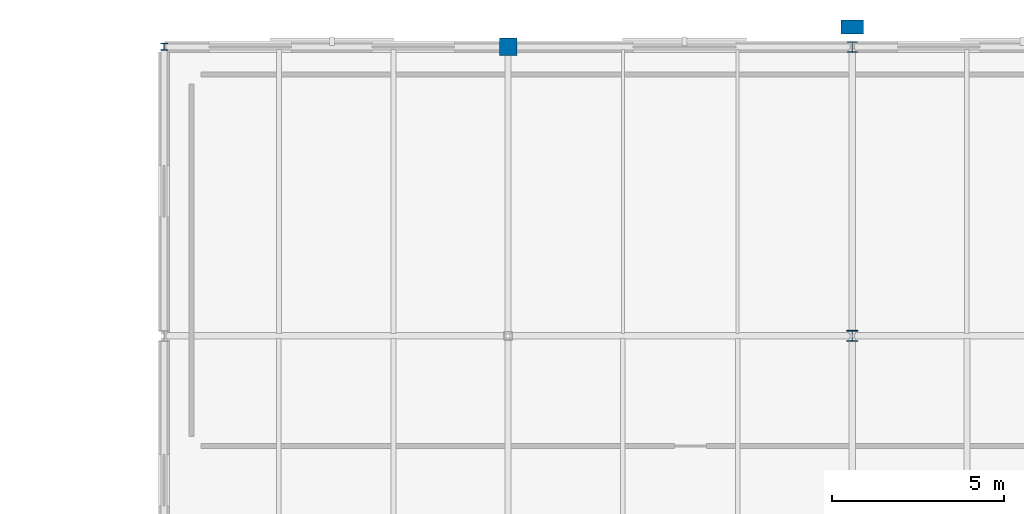
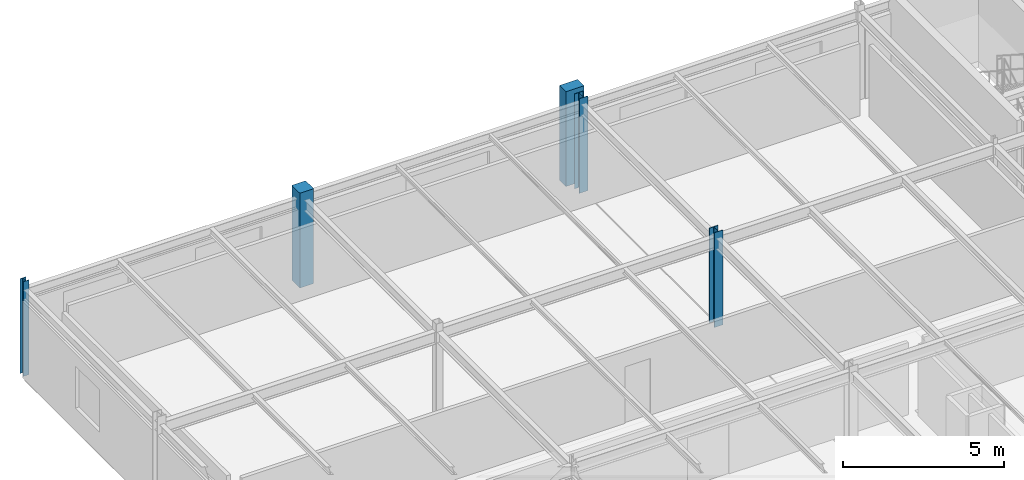
# One storey, part 17 of 109: 5 columns.
"""IFC4 building model written with IfcOpenShell, lengths in metres."""

from ifc_helpers import new_model, si_unit, derived_unit, direction, frame, origin, origin_2d_with_axis, place, context, subcontext, project, spatial, rectangle, i_section, extrude, material, material_profile, profile_set, type_object, element, save


model = new_model("IFC4")

# Units and contexts
model_context = context("Model", 3, precision=1e-05, world=origin(), true_north=direction((0.0, 1.0)))
body_context = subcontext(model_context, "Body", "Model", "MODEL_VIEW")
ifc_project = project(units=[si_unit("LENGTHUNIT", "METRE"), si_unit("AREAUNIT", "SQUARE_METRE"), si_unit("VOLUMEUNIT", "CUBIC_METRE"), si_unit("PLANEANGLEUNIT", "RADIAN"), si_unit("MASSUNIT", "GRAM", prefix="KILO"), derived_unit("THERMALTRANSMITTANCEUNIT", [(si_unit("POWERUNIT", "WATT"), 1), (si_unit("LENGTHUNIT", "METRE"), -2), (si_unit("THERMODYNAMICTEMPERATUREUNIT", "KELVIN"), -1)])], contexts=[model_context])

# Site, building, storey
site_placement = place(None, origin())
site = spatial("IfcSite", under=ifc_project, at=site_placement, CompositionType="ELEMENT")
building_placement = place(site_placement, origin())
building = spatial("IfcBuilding", under=site, at=building_placement, Name="Cinnabar Yard Market Hall", CompositionType="ELEMENT")
storey_placement = place(building_placement, frame((0.0, 0.0, 8.39990234375)))
storey = spatial("IfcBuildingStorey", under=building, at=storey_placement, Name="L02", CompositionType="ELEMENT", Elevation=8.39990234375)

# Columns
ifc_material_1 = material(Name="Steel Grade 300 (300 MPa)", Category="steel")
ifc_material_profile_1 = material_profile(ifc_material_1, i_section(OverallWidth=0.307373046875, OverallDepth=0.314697265625, WebThickness=0.011962890625, FlangeThickness=0.018798828125, FilletRadius=0.0166015625, at=origin_2d_with_axis()), Name="310UC118")
ifc_profile_set_1 = profile_set([ifc_material_profile_1], Name="Steel Grade 300 (300 MPa)")
column_type_1 = type_object("IfcColumnType", Name="COL-C08", PredefinedType="COLUMN", material=ifc_profile_set_1)
column_1_placement = place(storey_placement, frame((86.0, 129.60009765625, 0.0), z_axis=(0.0, 0.0, 1.0), x_axis=(1.0, 0.0, 0.0)))
element("IfcColumn", 1, at=column_1_placement, inside=storey, type_object=column_type_1, Name="Wing Column V3-03-04 L02", PredefinedType="COLUMN", context=body_context, shape_type="SweptSolid", body=[
    extrude(i_section(OverallWidth=0.307373046875, OverallDepth=0.314697265625, WebThickness=0.011962890625, FlangeThickness=0.018798828125, FilletRadius=0.0166015625, at=origin_2d_with_axis()), origin(), (0.0, 0.0, 1.0), 3.60009765625),
])
ifc_material_profile_2 = material_profile(ifc_material_1, i_section(OverallWidth=0.304931640625, OverallDepth=0.30810546875, WebThickness=0.010009765625, FlangeThickness=0.015380859375, FilletRadius=0.0166015625, at=origin_2d_with_axis()), Name="310UC96.8")
ifc_profile_set_2 = profile_set([ifc_material_profile_2], Name="Steel Grade 300 (300 MPa)")
column_type_2 = type_object("IfcColumnType", Name="COL-C09E", PredefinedType="COLUMN", material=ifc_profile_set_2)
column_2_placement = place(storey_placement, frame((86.0, 138.0, 0.0), z_axis=(0.0, 0.0, 1.0), x_axis=(1.0, 0.0, 0.0)))
element("IfcColumn", 2, at=column_2_placement, inside=storey, type_object=column_type_2, Name="Wing Column V3-03-05 L02", PredefinedType="COLUMN", context=body_context, shape_type="SweptSolid", body=[
    extrude(i_section(OverallWidth=0.304931640625, OverallDepth=0.30810546875, WebThickness=0.010009765625, FlangeThickness=0.015380859375, FilletRadius=0.0166015625, at=origin_2d_with_axis()), origin(), (0.0, 0.0, 1.0), 3.60009765625),
])
ifc_material_profile_3 = material_profile(ifc_material_1, i_section(OverallWidth=0.203369140625, OverallDepth=0.203369140625, WebThickness=0.00732421875, FlangeThickness=0.010986328125, FilletRadius=0.011474609375, at=origin_2d_with_axis()), Name="200UC46.2")
ifc_profile_set_3 = profile_set([ifc_material_profile_3], Name="Steel Grade 300 (300 MPa)")
column_type_3 = type_object("IfcColumnType", Name="COL-C13E", PredefinedType="COLUMN", material=ifc_profile_set_3)
column_3_placement = place(storey_placement, frame((66.0, 138.0, 0.0), z_axis=(0.0, 0.0, 1.0), x_axis=(1.0, 0.0, 0.0)))
element("IfcColumn", 3, at=column_3_placement, inside=storey, type_object=column_type_3, Name="Wing Column V3-01-05 L02", PredefinedType="COLUMN", context=body_context, shape_type="SweptSolid", body=[
    extrude(i_section(OverallWidth=0.203369140625, OverallDepth=0.203369140625, WebThickness=0.00732421875, FlangeThickness=0.010986328125, FilletRadius=0.011474609375, at=origin_2d_with_axis()), origin(), (0.0, 0.0, 1.0), 3.60009765625),
])
ifc_material_2 = material(Name="Concrete 40 MPa", Category="concrete")
ifc_material_profile_4 = material_profile(ifc_material_2, rectangle(XDim=0.64990234375, YDim=0.39990234375, at=origin_2d_with_axis()), Name="RC-650x400")
ifc_profile_set_4 = profile_set([ifc_material_profile_4], Name="Concrete 40 MPa")
column_type_4 = type_object("IfcColumnType", Name="COL-PIL2E", PredefinedType="PILASTER", material=ifc_profile_set_4)
column_4_placement = place(storey_placement, frame((86.0, 138.580078125, 0.0), z_axis=(0.0, 0.0, 1.0), x_axis=(1.0, 0.0, 0.0)))
element("IfcColumn", 4, at=column_4_placement, inside=storey, type_object=column_type_4, Name="Engaged Pilaster 08 L02", PredefinedType="PILASTER", context=body_context, shape_type="SweptSolid", body=[
    extrude(rectangle(XDim=0.64990234375, YDim=0.39990234375, at=origin_2d_with_axis()), origin(), (0.0, 0.0, 1.0), 3.60009765625),
])
ifc_material_profile_5 = material_profile(ifc_material_2, rectangle(XDim=0.5, YDim=0.5, at=origin_2d_with_axis()), Name="RC-500x500")
ifc_profile_set_5 = profile_set([ifc_material_profile_5], Name="Concrete 40 MPa")
column_type_5 = type_object("IfcColumnType", Name="COL-RC1E", PredefinedType="COLUMN", material=ifc_profile_set_5)
column_5_placement = place(storey_placement, frame((76.0, 138.0, 0.0), z_axis=(0.0, 0.0, 1.0), x_axis=(1.0, 0.0, 0.0)))
element("IfcColumn", 5, at=column_5_placement, inside=storey, type_object=column_type_5, Name="Wing Column V3-02-05 L02", PredefinedType="COLUMN", context=body_context, shape_type="SweptSolid", body=[
    extrude(rectangle(XDim=0.5, YDim=0.5, at=origin_2d_with_axis()), origin(), (0.0, 0.0, 1.0), 3.60009765625),
])

save(model, "model.ifc")
